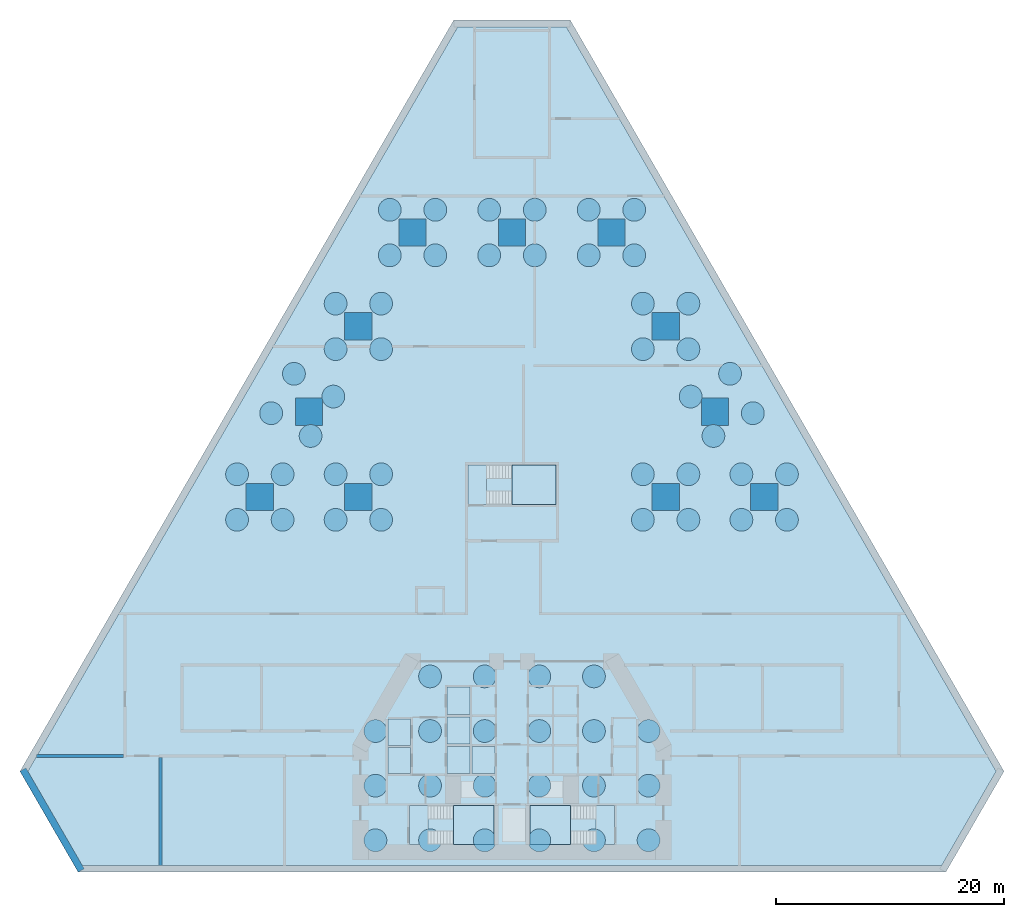
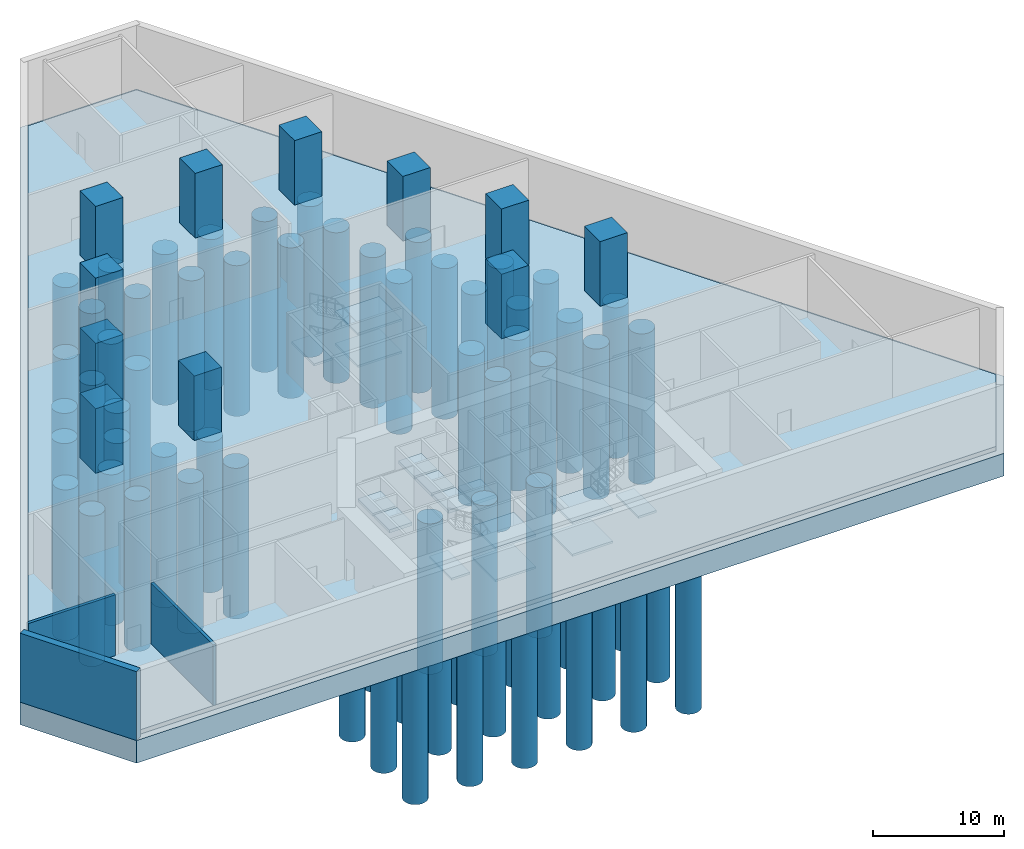
# One storey, part 1 of 8: 66 piles, 16 slabs, 11 columns, 3 walls, 1 footing, 3 elements without a shape of their own.
"""IFC4 building model written with IfcOpenShell, lengths in metres."""

from ifc_helpers import new_model, si_unit, direction, frame, frame_2d, origin, origin_2d, place, context, subcontext, project, spatial, polyline, rectangle, circle, outline, extrude, material, layer, layer_set, material_profile, profile_set, type_object, element, aggregate, save


model = new_model("IFC4")

# Units and contexts
model_context = context("Model", 3, precision=1e-05, world=origin(), true_north=direction((0.0, 1.0)))
body_context = subcontext(model_context, "Body", "Model", "MODEL_VIEW")
ifc_project = project(units=[si_unit("LENGTHUNIT", "METRE"), si_unit("AREAUNIT", "SQUARE_METRE"), si_unit("VOLUMEUNIT", "CUBIC_METRE"), si_unit("PLANEANGLEUNIT", "RADIAN"), si_unit("MASSUNIT", "GRAM", prefix="KILO")], contexts=[model_context])

# Site, building, storey
site_placement = place(None, origin())
site = spatial("IfcSite", under=ifc_project, at=site_placement, CompositionType="ELEMENT")
building_placement = place(site_placement, origin())
building = spatial("IfcBuilding", under=site, at=building_placement, Name="Fogline Exchange Tower", CompositionType="ELEMENT")
storey_placement = place(building_placement, frame((0.0, 0.0, -14.0)))
storey = spatial("IfcBuildingStorey", under=building, at=storey_placement, Name="B2", CompositionType="ELEMENT", Elevation=-14.0)

# Footing
ifc_material_1 = material(Name="Concrete C40", Category="concrete")
ifc_layer_1 = layer(ifc_material_1, 2.10009765625)
ifc_layer_set_1 = layer_set([ifc_layer_1], Name="F01")
footing_type = type_object("IfcFootingType", Name="F01", PredefinedType="PAD_FOOTING", material=ifc_layer_set_1)
footing_placement = place(storey_placement, frame((0.0, 0.0, -2.5)))
element("IfcFooting", 1, at=footing_placement, inside=storey, type_object=footing_type, Name="RAFT", PredefinedType="PAD_FOOTING", context=body_context, shape_type="SweptSolid", body=[
    extrude(outline(polyline([(-43.23095703125, 8.660400390625), (-38.115478515625, -0.199951171875), (38.115478515625, -0.199951171875), (43.23095703125, 8.660400390625), (5.115478515625, 74.67822265625), (-5.115478515625, 74.67822265625), (-43.23095703125, 8.660400390625)])), origin(), (0.0, 0.0, 1.0), 2.10009765625),
])

# Piles
ifc_material_profile_1 = material_profile(ifc_material_1, circle(Radius=1.0, at=origin_2d()), Name="RC D2000")
ifc_profile_set_1 = profile_set([ifc_material_profile_1], Name="Concrete C40")
pile_type = type_object("IfcPileType", Name="PT01", PredefinedType="BORED", material=ifc_profile_set_1)
for number, where, z_axis, x_axis, name in (
    (2, (-12.0, 2.60009765625, -2.5), (0.0, 0.0, -1.0), (1.0, 0.0, 0.0), "PL001"),
    (3, (-12.0, 7.39990234375, -2.5), (0.0, 0.0, -1.0), (1.0, 0.0, 0.0), "PL002"),
    (4, (-12.0, 12.199951171875, -2.5), (0.0, 0.0, -1.0), (1.0, 0.0, 0.0), "PL003"),
    (5, (-7.199951171875, 2.60009765625, -2.5), (0.0, 0.0, -1.0), (1.0, 0.0, 0.0), "PL004"),
    (6, (-7.199951171875, 7.39990234375, -2.5), (0.0, 0.0, -1.0), (1.0, 0.0, 0.0), "PL005"),
    (7, (-7.199951171875, 12.199951171875, -2.5), (0.0, 0.0, -1.0), (1.0, 0.0, 0.0), "PL006"),
    (8, (-7.199951171875, 17.0, -2.5), (0.0, 0.0, -1.0), (1.0, 0.0, 0.0), "PL007"),
    (9, (-2.39990234375, 2.60009765625, -2.5), (0.0, 0.0, -1.0), (1.0, 0.0, 0.0), "PL008"),
    (10, (-2.39990234375, 7.39990234375, -2.5), (0.0, 0.0, -1.0), (1.0, 0.0, 0.0), "PL009"),
    (11, (-2.39990234375, 12.199951171875, -2.5), (0.0, 0.0, -1.0), (1.0, 0.0, 0.0), "PL010"),
    (12, (-2.39990234375, 17.0, -2.5), (0.0, 0.0, -1.0), (1.0, 0.0, 0.0), "PL011"),
    (13, (2.39990234375, 2.60009765625, -2.5), (0.0, 0.0, -1.0), (1.0, 0.0, 0.0), "PL012"),
    (14, (2.39990234375, 7.39990234375, -2.5), (0.0, 0.0, -1.0), (1.0, 0.0, 0.0), "PL013"),
    (15, (2.39990234375, 12.199951171875, -2.5), (0.0, 0.0, -1.0), (1.0, 0.0, 0.0), "PL014"),
    (16, (2.39990234375, 17.0, -2.5), (0.0, 0.0, -1.0), (1.0, 0.0, 0.0), "PL015"),
    (17, (7.199951171875, 2.60009765625, -2.5), (0.0, 0.0, -1.0), (1.0, 0.0, 0.0), "PL016"),
    (18, (7.199951171875, 7.39990234375, -2.5), (0.0, 0.0, -1.0), (1.0, 0.0, 0.0), "PL017"),
    (19, (7.199951171875, 12.199951171875, -2.5), (0.0, 0.0, -1.0), (1.0, 0.0, 0.0), "PL018"),
    (20, (7.199951171875, 17.0, -2.5), (0.0, 0.0, -1.0), (1.0, 0.0, 0.0), "PL019"),
    (21, (12.0, 2.60009765625, -2.5), (0.0, 0.0, -1.0), (1.0, 0.0, 0.0), "PL020"),
    (22, (12.0, 7.39990234375, -2.5), (0.0, 0.0, -1.0), (1.0, 0.0, 0.0), "PL021"),
    (23, (12.0, 12.199951171875, -2.5), (0.0, 0.0, -1.0), (1.0, 0.0, 0.0), "PL022"),
    (24, (-6.739990234375, 58.0, -2.5), (0.0, 0.0, -1.0), (1.0, 0.0, 0.0), "PL023"),
    (25, (-10.739990234375, 58.0, -2.5), (0.0, 0.0, -1.0), (1.0, 0.0, 0.0), "PL024"),
    (26, (-10.739990234375, 54.0, -2.5), (0.0, 0.0, -1.0), (1.0, 0.0, 0.0), "PL025"),
    (27, (-6.739990234375, 54.0, -2.5), (0.0, 0.0, -1.0), (1.0, 0.0, 0.0), "PL026"),
    (28, (10.739990234375, 58.0, -2.5), (0.0, 0.0, -1.0), (1.0, 0.0, 0.0), "PL027"),
    (29, (6.739990234375, 58.0, -2.5), (0.0, 0.0, -1.0), (1.0, 0.0, 0.0), "PL028"),
    (30, (6.739990234375, 54.0, -2.5), (0.0, 0.0, -1.0), (1.0, 0.0, 0.0), "PL029"),
    (31, (10.739990234375, 54.0, -2.5), (0.0, 0.0, -1.0), (1.0, 0.0, 0.0), "PL030"),
    (32, (24.157958984375, 34.760009765625, -2.5), (0.0, 0.0, -1.0), (1.0, 0.0, 0.0), "PL031"),
    (33, (20.157958984375, 34.760009765625, -2.5), (0.0, 0.0, -1.0), (1.0, 0.0, 0.0), "PL032"),
    (34, (20.157958984375, 30.760009765625, -2.5), (0.0, 0.0, -1.0), (1.0, 0.0, 0.0), "PL033"),
    (35, (24.157958984375, 30.760009765625, -2.5), (0.0, 0.0, -1.0), (1.0, 0.0, 0.0), "PL034"),
    (36, (-20.157958984375, 34.760009765625, -2.5), (0.0, 0.0, -1.0), (1.0, 0.0, 0.0), "PL035"),
    (37, (-24.157958984375, 34.760009765625, -2.5), (0.0, 0.0, -1.0), (1.0, 0.0, 0.0), "PL036"),
    (38, (-24.157958984375, 30.760009765625, -2.5), (0.0, 0.0, -1.0), (1.0, 0.0, 0.0), "PL037"),
    (39, (-20.157958984375, 30.760009765625, -2.5), (0.0, 0.0, -1.0), (1.0, 0.0, 0.0), "PL038"),
    (40, (-11.5, 49.756103515625, -2.5), (0.0, 0.0, -1.0), (1.0, 0.0, 0.0), "PL039"),
    (41, (-15.5, 49.756103515625, -2.5), (0.0, 0.0, -1.0), (1.0, 0.0, 0.0), "PL040"),
    (42, (-15.5, 45.756103515625, -2.5), (0.0, 0.0, -1.0), (1.0, 0.0, 0.0), "PL041"),
    (43, (-11.5, 45.756103515625, -2.5), (0.0, 0.0, -1.0), (1.0, 0.0, 0.0), "PL042"),
    (44, (-11.5, 34.760009765625, -2.5), (0.0, 0.0, -1.0), (1.0, 0.0, 0.0), "PL043"),
    (45, (-15.5, 34.760009765625, -2.5), (0.0, 0.0, -1.0), (1.0, 0.0, 0.0), "PL044"),
    (46, (-15.5, 30.760009765625, -2.5), (0.0, 0.0, -1.0), (1.0, 0.0, 0.0), "PL045"),
    (47, (-11.5, 30.760009765625, -2.5), (0.0, 0.0, -1.0), (1.0, 0.0, 0.0), "PL046"),
    (48, (2.0, 58.0, -2.5), (0.0, 0.0, -1.0), (1.0, 0.0, 0.0), "PL047"),
    (49, (-2.0, 58.0, -2.5), (0.0, 0.0, -1.0), (1.0, 0.0, 0.0), "PL048"),
    (50, (-2.0, 54.0, -2.5), (0.0, 0.0, -1.0), (1.0, 0.0, 0.0), "PL049"),
    (51, (2.0, 54.0, -2.5), (0.0, 0.0, -1.0), (1.0, 0.0, 0.0), "PL050"),
    (52, (15.5, 49.756103515625, -2.5), (0.0, 0.0, -1.0), (1.0, 0.0, 0.0), "PL051"),
    (53, (11.5, 49.756103515625, -2.5), (0.0, 0.0, -1.0), (1.0, 0.0, 0.0), "PL052"),
    (54, (11.5, 45.756103515625, -2.5), (0.0, 0.0, -1.0), (1.0, 0.0, 0.0), "PL053"),
    (55, (15.5, 45.756103515625, -2.5), (0.0, 0.0, -1.0), (1.0, 0.0, 0.0), "PL054"),
    (56, (15.5, 34.760009765625, -2.5), (0.0, 0.0, -1.0), (1.0, 0.0, 0.0), "PL055"),
    (57, (11.5, 34.760009765625, -2.5), (0.0, 0.0, -1.0), (1.0, 0.0, 0.0), "PL056"),
    (58, (11.5, 30.760009765625, -2.5), (0.0, 0.0, -1.0), (1.0, 0.0, 0.0), "PL057"),
    (59, (15.5, 30.760009765625, -2.5), (0.0, 0.0, -1.0), (1.0, 0.0, 0.0), "PL058"),
    (60, (19.1611328125, 43.590087890625, -2.5), (0.0, 0.0, -1.0), (1.0, 0.0, 0.0), "PL059"),
    (61, (15.697021484375, 41.590087890625, -2.5), (0.0, 0.0, -1.0), (1.0, 0.0, 0.0), "PL060"),
    (62, (17.697021484375, 38.1259765625, -2.5), (0.0, 0.0, -1.0), (1.0, 0.0, 0.0), "PL061"),
    (63, (21.1611328125, 40.1259765625, -2.5), (0.0, 0.0, -1.0), (1.0, 0.0, 0.0), "PL062"),
    (64, (-19.1611328125, 43.590087890625, -2.5), (0.0, 0.0, -1.0), (1.0, 0.0, 0.0), "PL063"),
    (65, (-21.1611328125, 40.1259765625, -2.5), (0.0, 0.0, -1.0), (1.0, 0.0, 0.0), "PL064"),
    (66, (-17.697021484375, 38.1259765625, -2.5), (0.0, 0.0, -1.0), (1.0, 0.0, 0.0), "PL065"),
    (67, (-15.697021484375, 41.590087890625, -2.5), (0.0, 0.0, -1.0), (1.0, 0.0, 0.0), "PL066"),
):
    element("IfcPile", number, at=place(storey_placement, frame(where, z_axis=z_axis, x_axis=x_axis)), inside=storey, type_object=pile_type, Name=name, PredefinedType="BORED", context=body_context, shape_type="SweptSolid", body=[
        extrude(circle(Radius=1.0, at=origin_2d()), origin(), (0.0, 0.0, 1.0), 14.0),
    ])

# Columns
ifc_material_2 = material(Name="Concrete C80", Category="concrete")
ifc_material_profile_2 = material_profile(ifc_material_2, rectangle(XDim=2.39990234375, YDim=2.39990234375, at=origin_2d()), Name="RC 2400x2400")
ifc_profile_set_2 = profile_set([ifc_material_profile_2], Name="Concrete C80")
column_type = type_object("IfcColumnType", Name="MC01", PredefinedType="COLUMN", material=ifc_profile_set_2)
for number, where, z_axis, x_axis, name in (
    (68, (-8.739990234375, 56.0, 0.0), (0.0, 0.0, 1.0), (1.0, 0.0, 0.0), "M01"),
    (69, (8.739990234375, 56.0, 0.0), (0.0, 0.0, 1.0), (1.0, 0.0, 0.0), "M02"),
    (70, (22.157958984375, 32.760009765625, 0.0), (0.0, 0.0, 1.0), (1.0, 0.0, 0.0), "M03"),
    (71, (-22.157958984375, 32.760009765625, 0.0), (0.0, 0.0, 1.0), (1.0, 0.0, 0.0), "M04"),
    (72, (-13.5, 47.756103515625, 0.0), (0.0, 0.0, 1.0), (1.0, 0.0, 0.0), "M05"),
    (73, (-13.5, 32.760009765625, 0.0), (0.0, 0.0, 1.0), (1.0, 0.0, 0.0), "M06"),
    (74, (0.0, 56.0, 0.0), (0.0, 0.0, 1.0), (1.0, 0.0, 0.0), "M07"),
    (75, (13.5, 47.756103515625, 0.0), (0.0, 0.0, 1.0), (1.0, 0.0, 0.0), "M08"),
    (76, (13.5, 32.760009765625, 0.0), (0.0, 0.0, 1.0), (1.0, 0.0, 0.0), "M09"),
    (77, (17.8291015625, 40.258056640625, 0.0), (0.0, 0.0, 1.0), (1.0, 0.0, 0.0), "M10"),
    (78, (-17.8291015625, 40.258056640625, 0.0), (0.0, 0.0, 1.0), (1.0, 0.0, 0.0), "M11"),
):
    element("IfcColumn", number, at=place(storey_placement, frame(where, z_axis=z_axis, x_axis=x_axis)), inside=storey, type_object=column_type, Name=name, PredefinedType="COLUMN", context=body_context, shape_type="SweptSolid", body=[
        extrude(rectangle(XDim=2.39990234375, YDim=2.39990234375, at=origin_2d()), origin(), (0.0, 0.0, 1.0), 6.0),
    ])

# Slabs
ifc_layer_2 = layer(ifc_material_1, 0.300048828125)
ifc_layer_set_2 = layer_set([ifc_layer_2], Name="PS300")
slab_type_1 = type_object("IfcSlabType", Name="PS300", PredefinedType="BASESLAB", material=ifc_layer_set_2)
slab_1_placement = place(storey_placement, frame((0.0, 0.0, 4.10009765625)))
element("IfcSlab", 79, at=slab_1_placement, inside=storey, type_object=slab_type_1, Name="Lift pit slab LR1", PredefinedType="BASESLAB", context=body_context, shape_type="SweptSolid", body=[
    extrude(outline(polyline([(-10.89990234375, 8.449951171875), (-8.89990234375, 8.449951171875), (-8.89990234375, 10.75), (-10.89990234375, 10.75), (-10.89990234375, 8.449951171875)])), origin(), (0.0, 0.0, 1.0), 0.2998046875),
])
slab_2_placement = place(storey_placement, frame((0.0, 0.0, 4.10009765625)))
element("IfcSlab", 80, at=slab_2_placement, inside=storey, type_object=slab_type_1, Name="Lift pit slab LR2", PredefinedType="BASESLAB", context=body_context, shape_type="SweptSolid", body=[
    extrude(outline(polyline([(-10.89990234375, 10.949951171875), (-8.89990234375, 10.949951171875), (-8.89990234375, 13.25), (-10.89990234375, 13.25), (-10.89990234375, 10.949951171875)])), origin(), (0.0, 0.0, 1.0), 0.2998046875),
])
slab_3_placement = place(storey_placement, frame((0.0, 0.0, 4.10009765625)))
element("IfcSlab", 81, at=slab_3_placement, inside=storey, type_object=slab_type_1, Name="Lift pit slab LR3", PredefinedType="BASESLAB", context=body_context, shape_type="SweptSolid", body=[
    extrude(outline(polyline([(-5.699951171875, 8.449951171875), (-3.699951171875, 8.449951171875), (-3.699951171875, 10.85009765625), (-5.699951171875, 10.85009765625), (-5.699951171875, 8.449951171875)])), origin(), (0.0, 0.0, 1.0), 0.2998046875),
])
slab_4_placement = place(storey_placement, frame((0.0, 0.0, 4.10009765625)))
element("IfcSlab", 82, at=slab_4_placement, inside=storey, type_object=slab_type_1, Name="Lift pit slab LR4", PredefinedType="BASESLAB", context=body_context, shape_type="SweptSolid", body=[
    extrude(outline(polyline([(-5.699951171875, 11.050048828125), (-3.699951171875, 11.050048828125), (-3.699951171875, 13.449951171875), (-5.699951171875, 13.449951171875), (-5.699951171875, 11.050048828125)])), origin(), (0.0, 0.0, 1.0), 0.2998046875),
])
slab_5_placement = place(storey_placement, frame((0.0, 0.0, 4.10009765625)))
element("IfcSlab", 83, at=slab_5_placement, inside=storey, type_object=slab_type_1, Name="Lift pit slab LR5", PredefinedType="BASESLAB", context=body_context, shape_type="SweptSolid", body=[
    extrude(outline(polyline([(-5.699951171875, 13.64990234375), (-3.699951171875, 13.64990234375), (-3.699951171875, 16.050048828125), (-5.699951171875, 16.050048828125), (-5.699951171875, 13.64990234375)])), origin(), (0.0, 0.0, 1.0), 0.2998046875),
])
slab_6_placement = place(storey_placement, frame((0.0, 0.0, 4.10009765625)))
element("IfcSlab", 84, at=slab_6_placement, inside=storey, type_object=slab_type_1, Name="Lift pit slab LR6", PredefinedType="BASESLAB", context=body_context, shape_type="SweptSolid", body=[
    extrude(outline(polyline([(-3.5, 8.449951171875), (-1.5, 8.449951171875), (-1.5, 10.85009765625), (-3.5, 10.85009765625), (-3.5, 8.449951171875)])), origin(), (0.0, 0.0, 1.0), 0.2998046875),
])
ifc_layer_3 = layer(ifc_material_1, 0.39990234375)
ifc_layer_set_3 = layer_set([ifc_layer_3], Name="S01")
slab_type_2 = type_object("IfcSlabType", Name="S01", PredefinedType="BASESLAB", material=ifc_layer_set_3)
slab_7_placement = place(storey_placement, frame((0.0, 0.0, -0.39990234375)))
element("IfcSlab", 85, at=slab_7_placement, inside=storey, type_object=slab_type_2, Name="SLAB B2", PredefinedType="BASESLAB", context=body_context, shape_type="SweptSolid", body=[
    extrude(outline(polyline([(-42.5380859375, 8.660400390625), (-37.76904296875, 0.39990234375), (37.76904296875, 0.39990234375), (42.5380859375, 8.660400390625), (4.76904296875, 74.078125), (-4.76904296875, 74.078125), (-42.5380859375, 8.660400390625)])), origin(), (0.0, 0.0, 1.0), 0.39990234375),
])

# Stair, slabs
stair_type = type_object("IfcStairType", Name="STR36-1667W1200", PredefinedType="HALF_TURN_STAIR", material=ifc_material_1)
stair_1_placement = place(storey_placement, origin())
stair_1 = element("IfcStair", 86, at=stair_1_placement, inside=storey, type_object=stair_type, Name="Stair ST1", PredefinedType="HALF_TURN_STAIR")
ifc_layer_4 = layer(ifc_material_1, 0.199951171875)
ifc_layer_set_4 = layer_set([ifc_layer_4], Name="SL200")
slab_type_3 = type_object("IfcSlabType", Name="SL200", PredefinedType="LANDING", material=ifc_layer_set_4)
slab_8_placement = place(storey_placement, frame((0.0, 0.0, 1.300048828125)))
slab_8 = element("IfcSlab", 87, at=slab_8_placement, type_object=slab_type_3, Name="ST1 landing 1", PredefinedType="LANDING", context=body_context, shape_type="SweptSolid", body=[
    extrude(outline(polyline([(-5.159912109375, 2.25), (-1.60009765625, 2.25), (-1.60009765625, 5.64990234375), (-5.159912109375, 5.64990234375), (-5.159912109375, 2.25)])), origin(), (0.0, 0.0, 1.0), 0.199951171875),
])
slab_9_placement = place(storey_placement, frame((0.0, 0.0, 2.800048828125)))
slab_9 = element("IfcSlab", 88, at=slab_9_placement, type_object=slab_type_3, Name="ST1 landing 2", PredefinedType="LANDING", context=body_context, shape_type="SweptSolid", body=[
    extrude(outline(polyline([(-9.0, 2.25), (-7.39990234375, 2.25), (-7.39990234375, 5.64990234375), (-9.0, 5.64990234375), (-9.0, 2.25)])), origin(), (0.0, 0.0, 1.0), 0.199951171875),
])
slab_10_placement = place(storey_placement, frame((0.0, 0.0, 4.300048828125)))
slab_10 = element("IfcSlab", 89, at=slab_10_placement, type_object=slab_type_3, Name="ST1 landing 3", PredefinedType="LANDING", context=body_context, shape_type="SweptSolid", body=[
    extrude(outline(polyline([(-5.159912109375, 2.25), (-1.60009765625, 2.25), (-1.60009765625, 5.64990234375), (-5.159912109375, 5.64990234375), (-5.159912109375, 2.25)])), origin(), (0.0, 0.0, 1.0), 0.199951171875),
])
aggregate(stair_1, [slab_8, slab_9, slab_10])

stair_2_placement = place(storey_placement, origin())
stair_2 = element("IfcStair", 90, at=stair_2_placement, inside=storey, type_object=stair_type, Name="Stair ST2", PredefinedType="HALF_TURN_STAIR")
slab_11_placement = place(storey_placement, frame((0.0, 0.0, 1.300048828125)))
slab_11 = element("IfcSlab", 91, at=slab_11_placement, type_object=slab_type_3, Name="ST2 landing 1", PredefinedType="LANDING", context=body_context, shape_type="SweptSolid", body=[
    extrude(outline(polyline([(1.60009765625, 2.25), (5.159912109375, 2.25), (5.159912109375, 5.64990234375), (1.60009765625, 5.64990234375), (1.60009765625, 2.25)])), origin(), (0.0, 0.0, 1.0), 0.199951171875),
])
slab_12_placement = place(storey_placement, frame((0.0, 0.0, 2.800048828125)))
slab_12 = element("IfcSlab", 92, at=slab_12_placement, type_object=slab_type_3, Name="ST2 landing 2", PredefinedType="LANDING", context=body_context, shape_type="SweptSolid", body=[
    extrude(outline(polyline([(7.39990234375, 2.25), (9.0, 2.25), (9.0, 5.64990234375), (7.39990234375, 5.64990234375), (7.39990234375, 2.25)])), origin(), (0.0, 0.0, 1.0), 0.199951171875),
])
slab_13_placement = place(storey_placement, frame((0.0, 0.0, 4.300048828125)))
slab_13 = element("IfcSlab", 93, at=slab_13_placement, type_object=slab_type_3, Name="ST2 landing 3", PredefinedType="LANDING", context=body_context, shape_type="SweptSolid", body=[
    extrude(outline(polyline([(1.60009765625, 2.25), (5.159912109375, 2.25), (5.159912109375, 5.64990234375), (1.60009765625, 5.64990234375), (1.60009765625, 2.25)])), origin(), (0.0, 0.0, 1.0), 0.199951171875),
])
aggregate(stair_2, [slab_11, slab_12, slab_13])

stair_3_placement = place(storey_placement, origin())
stair_3 = element("IfcStair", 94, at=stair_3_placement, inside=storey, type_object=stair_type, Name="Stair ST3", PredefinedType="HALF_TURN_STAIR")
slab_14_placement = place(storey_placement, frame((0.0, 0.0, 1.300048828125)))
slab_14 = element("IfcSlab", 95, at=slab_14_placement, type_object=slab_type_3, Name="ST3 landing 1", PredefinedType="LANDING", context=body_context, shape_type="SweptSolid", body=[
    extrude(outline(polyline([(-0.010009765625, 32.10693359375), (3.85009765625, 32.10693359375), (3.85009765625, 35.556884765625), (-0.010009765625, 35.556884765625), (-0.010009765625, 32.10693359375)])), origin(), (0.0, 0.0, 1.0), 0.199951171875),
])
slab_15_placement = place(storey_placement, frame((0.0, 0.0, 2.800048828125)))
slab_15 = element("IfcSlab", 96, at=slab_15_placement, type_object=slab_type_3, Name="ST3 landing 2", PredefinedType="LANDING", context=body_context, shape_type="SweptSolid", body=[
    extrude(outline(polyline([(-3.85009765625, 32.10693359375), (-2.25, 32.10693359375), (-2.25, 35.556884765625), (-3.85009765625, 35.556884765625), (-3.85009765625, 32.10693359375)])), origin(), (0.0, 0.0, 1.0), 0.199951171875),
])
slab_16_placement = place(storey_placement, frame((0.0, 0.0, 4.300048828125)))
slab_16 = element("IfcSlab", 97, at=slab_16_placement, type_object=slab_type_3, Name="ST3 landing 3", PredefinedType="LANDING", context=body_context, shape_type="SweptSolid", body=[
    extrude(outline(polyline([(-0.010009765625, 32.10693359375), (3.85009765625, 32.10693359375), (3.85009765625, 35.556884765625), (-0.010009765625, 35.556884765625), (-0.010009765625, 32.10693359375)])), origin(), (0.0, 0.0, 1.0), 0.199951171875),
])
aggregate(stair_3, [slab_14, slab_15, slab_16])

# Walls
ifc_layer_5 = layer(ifc_material_1, 0.25)
ifc_layer_set_5 = layer_set([ifc_layer_5], Name="PP3")
wall_type_1 = type_object("IfcWallType", Name="PP3", PredefinedType="SOLIDWALL", material=ifc_layer_set_5)
wall_1_placement = place(storey_placement, frame((-30.89990234375, 0.39990234375, 0.0), z_axis=(0.0, 0.0, 1.0), x_axis=(0.0, 1.0, 0.0)))
element("IfcWall", 98, at=wall_1_placement, inside=storey, type_object=wall_type_1, Name="PP3 partition", PredefinedType="SOLIDWALL", context=body_context, shape_type="SweptSolid", body=[
    extrude(rectangle(XDim=9.47509765625, YDim=0.25, at=frame_2d((4.737548828125, 0.0))), origin(), (0.0, 0.0, 1.0), 5.64990234375),
])
wall_2_placement = place(storey_placement, frame((-41.7646484375, 10.0, 0.0), z_axis=(0.0, 0.0, 1.0), x_axis=(1.0, 0.0, 0.0)))
element("IfcWall", 99, at=wall_2_placement, inside=storey, type_object=wall_type_1, Name="PP3 partition", PredefinedType="SOLIDWALL", context=body_context, shape_type="SweptSolid", body=[
    extrude(rectangle(XDim=7.6396484375, YDim=0.25, at=frame_2d((3.81982421875, 0.0))), origin(), (0.0, 0.0, 1.0), 5.64990234375),
])
ifc_layer_6 = layer(ifc_material_1, 0.60009765625)
ifc_layer_set_6 = layer_set([ifc_layer_6], Name="RW01")
wall_type_2 = type_object("IfcWallType", Name="RW01", PredefinedType="SOLIDWALL", material=ifc_layer_set_6)
wall_3_placement = place(storey_placement, frame((-42.97119140625, 8.810302734375, -0.39990234375), z_axis=(0.0, 0.0, 1.0), x_axis=(0.499996492717, -0.866027428706, 0.0)))
element("IfcWall", 100, at=wall_3_placement, inside=storey, type_object=wall_type_2, Name="B2-W901", PredefinedType="SOLIDWALL", context=body_context, shape_type="SweptSolid", body=[
    extrude(rectangle(XDim=10.23095703125, YDim=0.60009765625, at=frame_2d((5.115478515625, 0.0))), origin(), (0.0, 0.0, 1.0), 6.39990234375),
])

save(model, "model.ifc")
